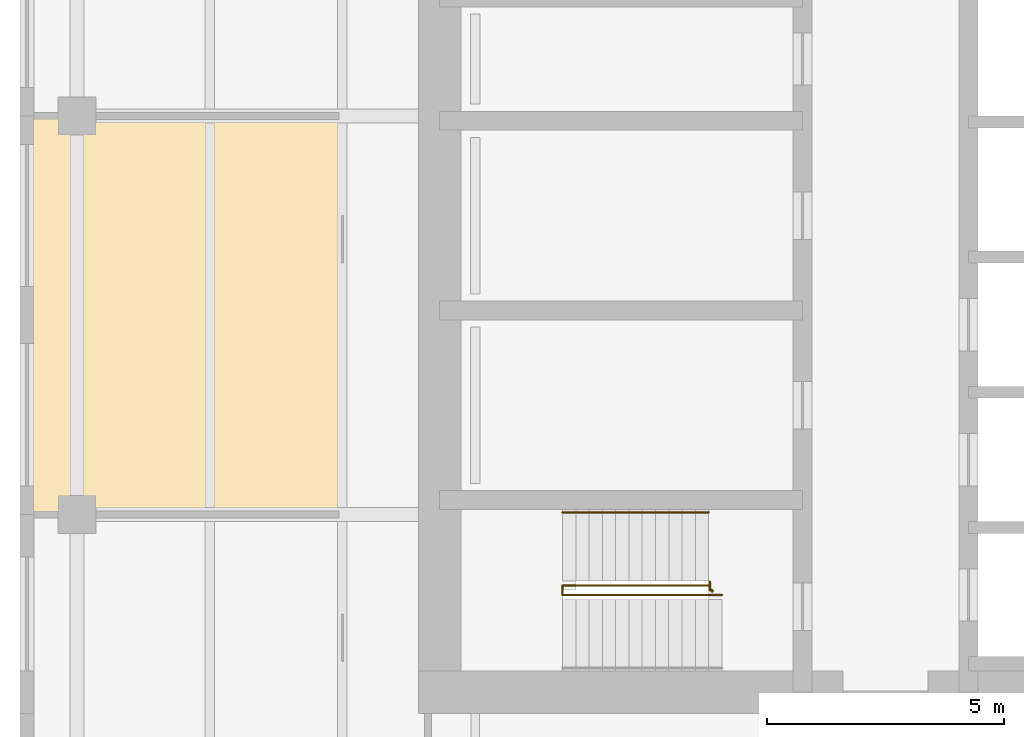
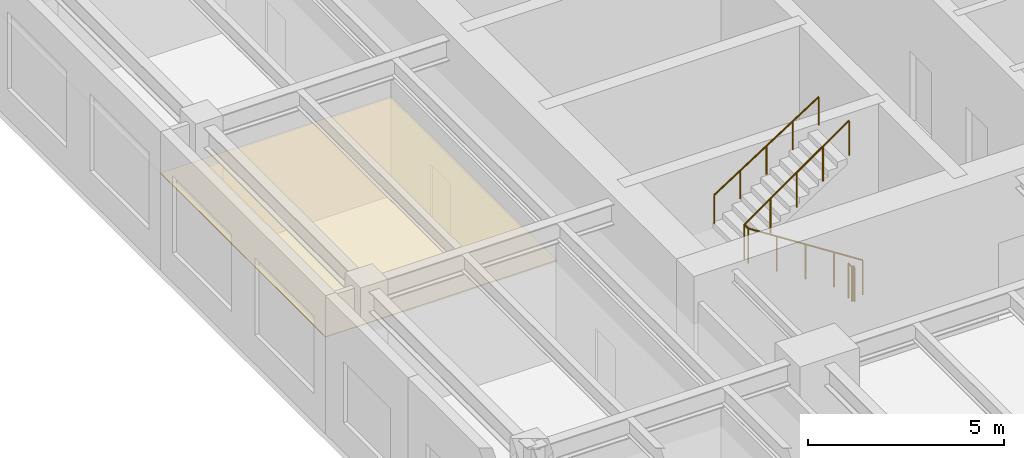
# One storey, part 18 of 26: 3 railings, 1 covering.
"""IFC4 building model written with IfcOpenShell, lengths in metres."""

from ifc_helpers import new_model, si_unit, direction, frame, origin, origin_2d, place, context, subcontext, project, spatial, polyline, circle, outline, extrude, material, layer, layer_set, type_object, element, save


model = new_model("IFC4")

# Units and contexts
model_context = context("Model", 3, precision=1e-05, world=origin(), true_north=direction((0.0, 1.0)))
body_context = subcontext(model_context, "Body", "Model", "MODEL_VIEW")
ifc_project = project(units=[si_unit("LENGTHUNIT", "METRE"), si_unit("AREAUNIT", "SQUARE_METRE"), si_unit("VOLUMEUNIT", "CUBIC_METRE"), si_unit("PLANEANGLEUNIT", "RADIAN"), si_unit("MASSUNIT", "GRAM", prefix="KILO")], contexts=[model_context])

# Site, building, storey
site_placement = place(None, origin())
site = spatial("IfcSite", under=ifc_project, at=site_placement, CompositionType="ELEMENT")
building_placement = place(site_placement, origin())
building = spatial("IfcBuilding", under=site, at=building_placement, Name="Claustro Exchange Tower", CompositionType="ELEMENT")
storey_placement = place(building_placement, frame((0.0, 0.0, 9.89990234375)))
storey = spatial("IfcBuildingStorey", under=building, at=storey_placement, Name="L02", CompositionType="ELEMENT", Elevation=9.89990234375)

# Covering
ifc_material_1 = material(Name="Gypsum board ceiling", Category="gypsum board")
ifc_layer = layer(ifc_material_1, 0.02490234375)
ifc_layer_set = layer_set([ifc_layer], Name="Gypsum board ceiling")
covering_type = type_object("IfcCoveringType", Name="CL2 plasterboard ceiling", PredefinedType="CEILING", material=ifc_layer_set)
covering_placement = place(storey_placement, frame((0.0, 0.0, 3.0)))
element("IfcCovering", 1, at=covering_placement, inside=storey, type_object=covering_type, Name="Ceiling CL2 L02-10", PredefinedType="CEILING", context=body_context, shape_type="SweptSolid", body=[
    extrude(outline(polyline([(-9.60009765625, 25.199951171875), (-9.60009765625, 16.800048828125), (-2.800048828125, 16.800048828125), (-2.800048828125, 25.199951171875), (-9.60009765625, 25.199951171875)])), origin(), (0.0, 0.0, 1.0), 0.025146484375),
])

# Railings
ifc_material_2 = material(Name="Steel balustrade, painted", Category="steel")
railing_type_1 = type_object("IfcRailingType", Name="GR2 1100 steel stair guard", PredefinedType="GUARDRAIL", material=ifc_material_2)
railing_1_placement = place(storey_placement, frame((5.199951171875, 15.10009765625, 0.18017578125)))
element("IfcRailing", 2, at=railing_1_placement, inside=storey, type_object=railing_type_1, Name="Stair well guard GR2 stair STWA L02", PredefinedType="GUARDRAIL", context=body_context, shape_type="SweptSolid", body=[
    extrude(circle(Radius=0.02392578125, at=origin_2d()), frame((0.0, 0.0, 1.076171875), z_axis=(-0.841178475377, 0.0, 0.540757591313), x_axis=(0.0, -1.0, 0.0)), (0.0, 0.0, 1.0), 3.994140625),
    extrude(circle(Radius=0.02392578125, at=origin_2d()), frame((-3.35986328125, 0.0, 3.23583984375), z_axis=(0.0, 1.0, 0.0), x_axis=(-1.0, 0.0, 0.0)), (0.0, 0.0, 1.0), 0.199951171875),
    extrude(circle(Radius=0.02392578125, at=origin_2d()), frame((-3.35986328125, 0.199951171875, 3.23583984375), z_axis=(0.818728512145, 0.0, 0.574180828137), x_axis=(0.0, 1.0, 0.0)), (0.0, 0.0, 1.0), 3.76171875),
    extrude(circle(Radius=0.02099609375, at=origin_2d()), origin(), (0.0, 0.0, 1.0), 1.052001953125),
    extrude(circle(Radius=0.02099609375, at=origin_2d()), frame((-0.83984375, 0.0, 0.5400390625)), (0.0, 0.0, 1.0), 1.052001953125),
    extrude(circle(Radius=0.02099609375, at=origin_2d()), frame((-1.679931640625, 0.0, 1.080078125)), (0.0, 0.0, 1.0), 1.052001953125),
    extrude(circle(Radius=0.02099609375, at=origin_2d()), frame((-2.52001953125, 0.0, 1.619873046875)), (0.0, 0.0, 1.0), 1.052001953125),
    extrude(circle(Radius=0.02099609375, at=origin_2d()), frame((-3.35986328125, 0.0, 2.159912109375)), (0.0, 0.0, 1.0), 1.052001953125),
    extrude(circle(Radius=0.02099609375, at=origin_2d()), frame((-3.35986328125, 0.199951171875, 2.159912109375)), (0.0, 0.0, 1.0), 1.052001953125),
    extrude(circle(Radius=0.02099609375, at=origin_2d()), frame((-2.58984375, 0.199951171875, 2.699951171875)), (0.0, 0.0, 1.0), 1.052001953125),
    extrude(circle(Radius=0.02099609375, at=origin_2d()), frame((-1.81982421875, 0.199951171875, 3.23974609375)), (0.0, 0.0, 1.0), 1.052001953125),
    extrude(circle(Radius=0.02099609375, at=origin_2d()), frame((-1.050048828125, 0.199951171875, 3.77978515625)), (0.0, 0.0, 1.0), 1.052001953125),
    extrude(circle(Radius=0.02099609375, at=origin_2d()), frame((-0.280029296875, 0.199951171875, 4.31982421875)), (0.0, 0.0, 1.0), 1.052001953125),
])
railing_2_placement = place(storey_placement, frame((5.0, 15.169921875, 0.0)))
element("IfcRailing", 3, at=railing_2_placement, inside=storey, type_object=railing_type_1, Name="Stair guard GR2 STWA L02", PredefinedType="GUARDRAIL", context=body_context, shape_type="SweptSolid", body=[
    extrude(circle(Radius=0.02392578125, at=origin_2d()), frame((0.0, 0.0, 1.076171875), z_axis=(0.0, 1.0, 0.0), x_axis=(-1.0, 0.0, 0.0)), (0.0, 0.0, 1.0), 0.030029296875),
    extrude(circle(Radius=0.02392578125, at=origin_2d()), frame((0.0, 0.030029296875, 1.076171875), z_axis=(-1.0, 0.0, 0.0), x_axis=(0.0, -1.0, 0.0)), (0.0, 0.0, 1.0), 0.054931640625),
    extrude(circle(Radius=0.02392578125, at=origin_2d()), frame((-0.054931640625, 0.030029296875, 1.076171875), z_axis=(0.0, 1.0, 0.0), x_axis=(-1.0, 0.0, 0.0)), (0.0, 0.0, 1.0), 0.179931640625),
    extrude(circle(Radius=0.02099609375, at=origin_2d()), origin(), (0.0, 0.0, 1.0), 1.052001953125),
    extrude(circle(Radius=0.02099609375, at=origin_2d()), frame((0.0, 0.030029296875, 0.0)), (0.0, 0.0, 1.0), 1.052001953125),
    extrude(circle(Radius=0.02099609375, at=origin_2d()), frame((-0.054931640625, 0.030029296875, 0.0)), (0.0, 0.0, 1.0), 1.052001953125),
    extrude(circle(Radius=0.02099609375, at=origin_2d()), frame((-0.054931640625, 0.2099609375, 0.0)), (0.0, 0.0, 1.0), 1.052001953125),
])
ifc_material_3 = material(Name="Stainless steel tube", Category="steel")
railing_type_2 = type_object("IfcRailingType", Name="HR1 900 stair handrail", PredefinedType="HANDRAIL", material=ifc_material_3)
railing_3_placement = place(storey_placement, frame((1.840087890625, 16.840087890625, 2.52001953125)))
element("IfcRailing", 4, at=railing_3_placement, inside=storey, type_object=railing_type_2, Name="Handrail HR1 stair STWA L02", PredefinedType="HANDRAIL", context=body_context, shape_type="SweptSolid", body=[
    extrude(circle(Radius=0.02392578125, at=origin_2d()), frame((0.0, 0.0, 0.8759765625), z_axis=(0.841167642724, 0.0, 0.540774441735), x_axis=(0.0, 1.0, 0.0)), (0.0, 0.0, 1.0), 3.661376953125),
    extrude(circle(Radius=0.02099609375, at=origin_2d()), origin(), (0.0, 0.0, 1.0), 0.851806640625),
    extrude(circle(Radius=0.02099609375, at=origin_2d()), frame((0.77001953125, 0.0, 0.4951171875)), (0.0, 0.0, 1.0), 0.851806640625),
    extrude(circle(Radius=0.02099609375, at=origin_2d()), frame((1.5400390625, 0.0, 0.989990234375)), (0.0, 0.0, 1.0), 0.851806640625),
    extrude(circle(Radius=0.02099609375, at=origin_2d()), frame((2.309814453125, 0.0, 1.48486328125)), (0.0, 0.0, 1.0), 0.851806640625),
    extrude(circle(Radius=0.02099609375, at=origin_2d()), frame((3.079833984375, 0.0, 1.97998046875)), (0.0, 0.0, 1.0), 0.851806640625),
])

save(model, "model.ifc")
